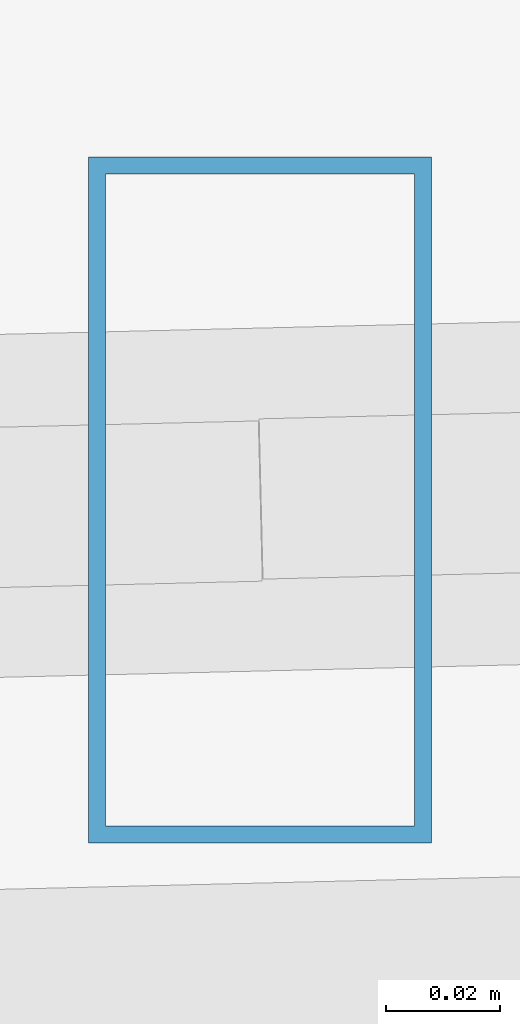
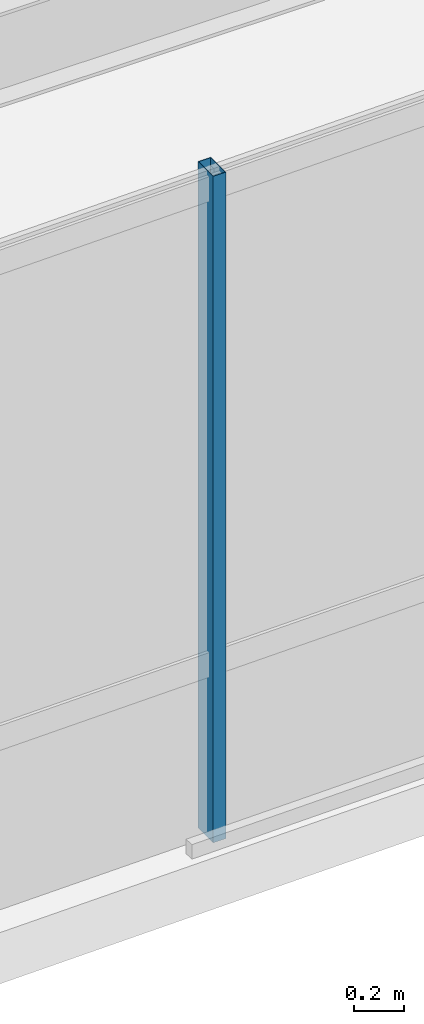
# One storey, part 5 of 44: 1 member, 1 element without a shape of its own.
"""IFC4 building model written with IfcOpenShell, lengths in metres."""

from ifc_helpers import new_model, si_unit, direction, frame, origin, origin_2d, place, context, subcontext, project, spatial, hollow_rectangle, extrude, source, transform, mapped, material, material_profile, profile_set, type_object, type_shapes, element, aggregate, save


model = new_model("IFC4")

# Units and contexts
model_context = context("Model", 3, precision=1e-05, world=origin(), true_north=direction((0.0, 1.0)))
body_context = subcontext(model_context, "Body", "Model", "MODEL_VIEW")
ifc_project = project(units=[si_unit("LENGTHUNIT", "METRE"), si_unit("AREAUNIT", "SQUARE_METRE"), si_unit("VOLUMEUNIT", "CUBIC_METRE"), si_unit("PLANEANGLEUNIT", "RADIAN"), si_unit("MASSUNIT", "GRAM", prefix="KILO")], contexts=[model_context])

# Site, building, storey
site_placement = place(None, origin())
site = spatial("IfcSite", under=ifc_project, at=site_placement, CompositionType="ELEMENT")
building_placement = place(site_placement, origin())
building = spatial("IfcBuilding", under=site, at=building_placement, Name="Caelisora Broadcast Tower", CompositionType="ELEMENT")
storey_placement = place(building_placement, frame((0.0, 0.0, 280.949951171875)))
storey = spatial("IfcBuildingStorey", under=building, at=storey_placement, Name="L74", CompositionType="ELEMENT", Elevation=280.949951171875)

# Curtain wall, member
ifc_material_1 = material(Name="Unitised Aluminium and Low-E Glass Curtain Wall", Category="glass")
curtain_wall_type = type_object("IfcCurtainWallType", Name="CW-Z5", PredefinedType="NOTDEFINED", material=ifc_material_1)
curtain_wall_placement = place(storey_placement, origin())
curtain_wall = element("IfcCurtainWall", 1, at=curtain_wall_placement, inside=storey, type_object=curtain_wall_type, Name="L74 curtain wall CW-Z5", PredefinedType="NOTDEFINED")
ifc_material_2 = material(Name="Aluminium 6063-T6 Anodised Terracotta Bronze", Category="aluminium")
ifc_material_profile = material_profile(ifc_material_2, hollow_rectangle(XDim=0.06005859375, YDim=0.1201171875, WallThickness=0.0029296875, at=origin_2d()), Name="Aluminium 6063-T6 Anodised Terracotta Bronze")
ifc_profile_set = profile_set([ifc_material_profile], Name="Aluminium 6063-T6 Anodised Terracotta Bronze")
member_type = type_object("IfcMemberType", Name="CWM-04", PredefinedType="MULLION", material=ifc_profile_set)
shared_shape = source(origin(), body_context, "Body", "SweptSolid", [
    extrude(hollow_rectangle(XDim=0.06005859375, YDim=0.1201171875, WallThickness=0.0029296875, at=origin_2d()), origin(), (0.0, 0.0, 1.0), 3.25),
])
type_shapes(member_type, [shared_shape])
member_placement = place(storey_placement, frame((25.951416015625, 8.4462890625, 0.0), z_axis=(0.0, 0.0, 1.0), x_axis=(1.0, 0.0, 0.0)))
member = element("IfcMember", 2, at=member_placement, type_object=member_type, Name="L74-CW-B07 mullion #1", PredefinedType="MULLION", context=body_context, shape_type="MappedRepresentation", body=[
    mapped(shared_shape, transform((0.0, 0.0, 0.0), scale=1.0)),
])
aggregate(curtain_wall, [member])

save(model, "model.ifc")
